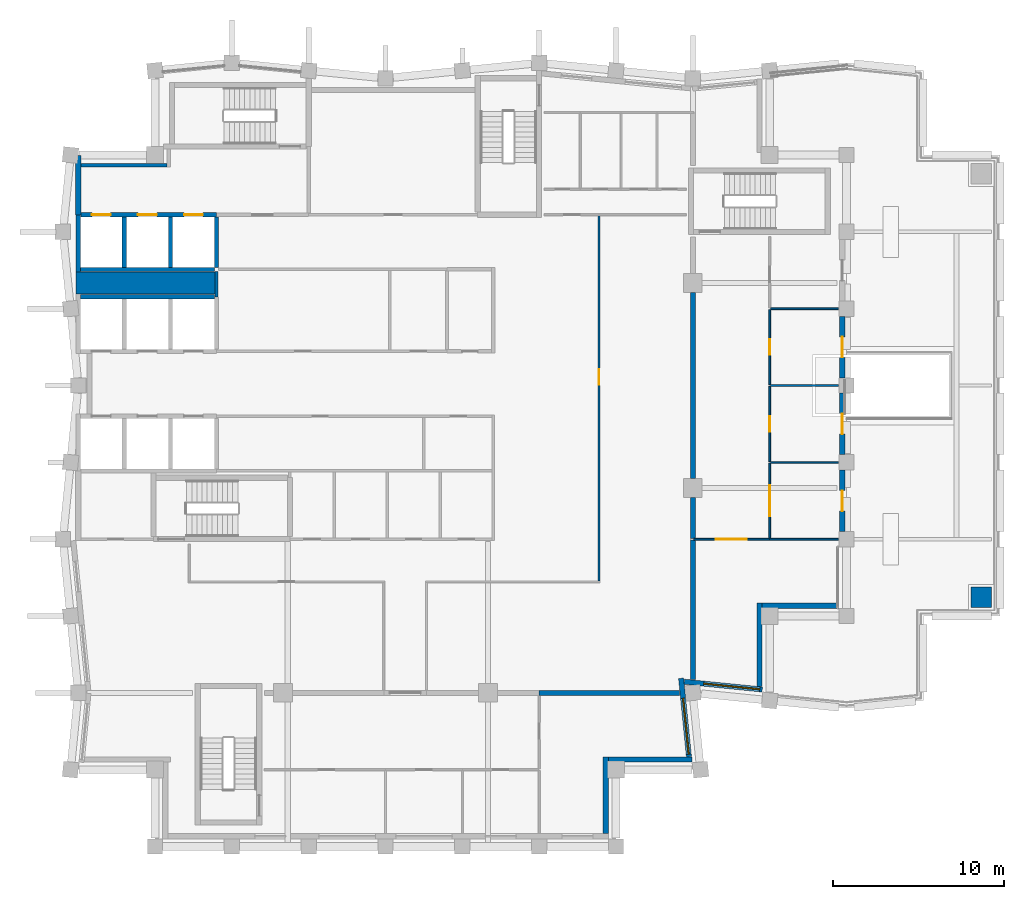
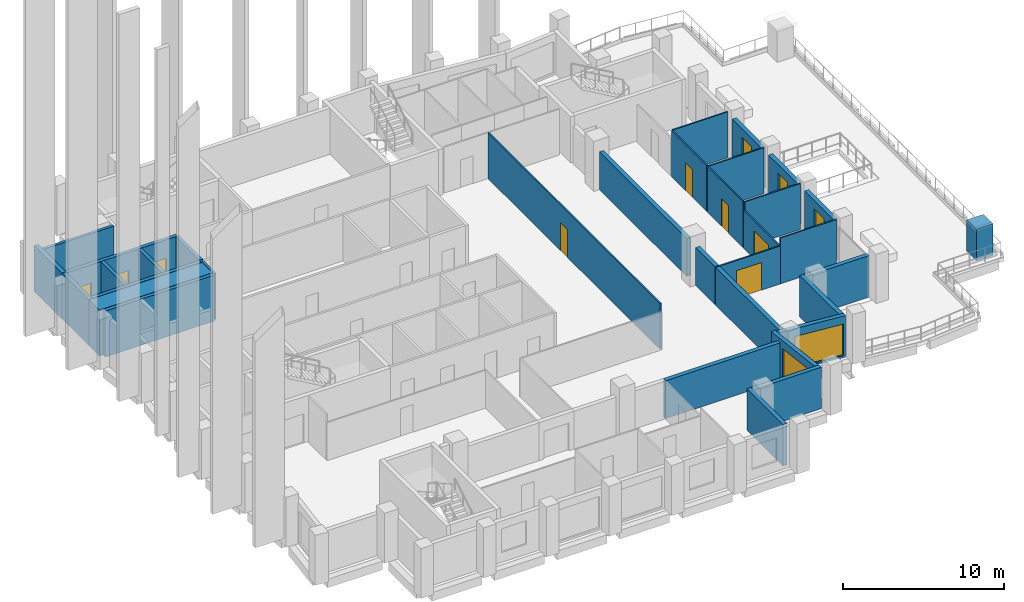
# One storey, part 6 of 11: 34 walls, 11 doors, 2 windows, 13 openings.
"""IFC4 building model written with IfcOpenShell, lengths in metres."""

from ifc_helpers import new_model, si_unit, direction, frame, frame_2d, origin, place, context, subcontext, project, spatial, polyline, rectangle, outline, extrude, material, layer, layer_set, type_object, element, fill, save


model = new_model("IFC4")

# Units and contexts
model_context = context("Model", 3, precision=1e-05, world=origin(), true_north=direction((0.0, 1.0)))
body_context = subcontext(model_context, "Body", "Model", "MODEL_VIEW")
ifc_project = project(units=[si_unit("LENGTHUNIT", "METRE"), si_unit("AREAUNIT", "SQUARE_METRE"), si_unit("VOLUMEUNIT", "CUBIC_METRE"), si_unit("PLANEANGLEUNIT", "RADIAN"), si_unit("MASSUNIT", "GRAM", prefix="KILO")], contexts=[model_context])

# Site, building, storey
site_placement = place(None, origin())
site = spatial("IfcSite", under=ifc_project, at=site_placement, CompositionType="ELEMENT")
building_placement = place(site_placement, origin())
building = spatial("IfcBuilding", under=site, at=building_placement, Name="Brondeck Convention Tower", CompositionType="ELEMENT")
storey_placement = place(building_placement, frame((0.0, 0.0, 252.39990234375)))
storey = spatial("IfcBuildingStorey", under=building, at=storey_placement, Name="L62", CompositionType="ELEMENT", Elevation=252.39990234375)

# Walls
ifc_material_1 = material(Name="Concrete compartment wall C30/37", Category="concrete")
ifc_layer_1 = layer(ifc_material_1, 0.300048828125)
ifc_layer_set_1 = layer_set([ifc_layer_1], Name="Compartment wall 300")
wall_type_1 = type_object("IfcWallType", Name="Compartment wall 300", PredefinedType="PARTITIONING", material=ifc_layer_set_1)
wall_1_placement = place(storey_placement, frame((27.0, 27.0, 0.0), z_axis=(0.0, 0.0, 1.0), x_axis=(1.0, 0.0, 0.0)))
element("IfcWall", 1, at=wall_1_placement, inside=storey, type_object=wall_type_1, Name="FLR-L62-W018", PredefinedType="PARTITIONING", context=body_context, shape_type="SweptSolid", body=[
    extrude(rectangle(XDim=8.226318359375, YDim=0.300048828125, at=frame_2d((4.11328125, 0.0))), origin(), (0.0, 0.0, 1.0), 2.880126953125),
])
wall_2_placement = place(storey_placement, frame((36.0, 27.773681640625, 0.0), z_axis=(0.0, 0.0, 1.0), x_axis=(0.0, 1.0, 0.0)))
element("IfcWall", 2, at=wall_2_placement, inside=storey, type_object=wall_type_1, Name="FLR-L62-W021", PredefinedType="PARTITIONING", context=body_context, shape_type="SweptSolid", body=[
    extrude(rectangle(XDim=8.17626953125, YDim=0.300048828125, at=frame_2d((4.088134765625, 0.0))), origin(), (0.0, 0.0, 1.0), 2.880126953125),
])
wall_3_placement = place(storey_placement, frame((36.0, 36.050048828125, 0.0), z_axis=(0.0, 0.0, 1.0), x_axis=(0.0, 1.0, 0.0)))
element("IfcWall", 3, at=wall_3_placement, inside=storey, type_object=wall_type_1, Name="FLR-L62-W029", PredefinedType="PARTITIONING", context=body_context, shape_type="SweptSolid", body=[
    extrude(rectangle(XDim=2.39501953125, YDim=0.300048828125, at=frame_2d((1.197509765625, 0.0))), origin(), (0.0, 0.0, 1.0), 2.880126953125),
])
wall_4_placement = place(storey_placement, frame((36.0, 39.554931640625, 0.0), z_axis=(0.0, 0.0, 1.0), x_axis=(0.0, 1.0, 0.0)))
element("IfcWall", 4, at=wall_4_placement, inside=storey, type_object=wall_type_1, Name="FLR-L62-W030", PredefinedType="PARTITIONING", context=body_context, shape_type="SweptSolid", body=[
    extrude(rectangle(XDim=10.89013671875, YDim=0.300048828125, at=frame_2d((5.445068359375, 0.0))), origin(), (0.0, 0.0, 1.0), 2.880126953125),
])
ifc_material_2 = material(Name="Concrete C50/60", Category="concrete")
ifc_layer_2 = layer(ifc_material_2, 0.300048828125)
ifc_layer_set_2 = layer_set([ifc_layer_2], Name="Core outer wall 300 Concrete C50/60")
wall_type_2 = type_object("IfcWallType", Name="Core outer wall 300 Concrete C50/60", PredefinedType="SHEAR", material=ifc_layer_set_2)
wall_5_placement = place(storey_placement, frame((0.0, 55.0, 0.0), z_axis=(0.0, 0.0, 1.0), x_axis=(0.0, 1.0, 0.0)))
element("IfcWall", 5, at=wall_5_placement, inside=storey, type_object=wall_type_2, Name="L62 core wall", PredefinedType="SHEAR", context=body_context, shape_type="SweptSolid", body=[
    extrude(rectangle(XDim=3.4775390625, YDim=0.300048828125, at=frame_2d((1.73876953125, 0.0))), origin(), (0.0, 0.0, 1.0), 3.5),
])
ifc_material_3 = material(Name="Fire-rated gypsum board partition")
ifc_layer_3 = layer(ifc_material_3, 0.14990234375)
ifc_layer_set_3 = layer_set([ifc_layer_3], Name="Core partition 150 EI 60")
wall_type_3 = type_object("IfcWallType", Name="Core partition 150 EI 60", PredefinedType="PARTITIONING", material=ifc_layer_set_3)
wall_6_placement = place(storey_placement, frame((8.10009765625, 50.199951171875, 0.0), z_axis=(0.0, 0.0, 1.0), x_axis=(0.0, 1.0, 0.0)))
element("IfcWall", 6, at=wall_6_placement, inside=storey, type_object=wall_type_3, Name="L62 core wall", PredefinedType="PARTITIONING", context=body_context, shape_type="SweptSolid", body=[
    extrude(rectangle(XDim=1.47509765625, YDim=0.14990234375, at=frame_2d((0.737548828125, 0.0))), origin(), (0.0, 0.0, 1.0), 3.5),
])
ifc_layer_4 = layer(ifc_material_2, 1.300048828125)
ifc_layer_set_4 = layer_set([ifc_layer_4], Name="Core shear wall 1300 Concrete C50/60")
wall_type_4 = type_object("IfcWallType", Name="Core shear wall 1300 Concrete C50/60", PredefinedType="SHEAR", material=ifc_layer_set_4)
wall_7_placement = place(storey_placement, frame((-0.125, 51.0, 0.0), z_axis=(0.0, 0.0, 1.0), x_axis=(1.0, 0.0, 0.0)))
element("IfcWall", 7, at=wall_7_placement, inside=storey, type_object=wall_type_4, Name="L62 core wall", PredefinedType="SHEAR", context=body_context, shape_type="SweptSolid", body=[
    extrude(rectangle(XDim=8.125, YDim=1.300048828125, at=frame_2d((4.0625, 0.0))), origin(), (0.0, 0.0, 1.0), 3.5),
])
ifc_material_4 = material(Name="Precast concrete C50/60 bronze finish", Category="concrete")
ifc_layer_5 = layer(ifc_material_4, 0.070068359375, Name="Bronze precast facing")
ifc_material_5 = material(Name="Mineral wool")
ifc_layer_6 = layer(ifc_material_5, 0.159912109375, Name="Insulation")
ifc_material_6 = material(Name="Concrete C35/45", Category="concrete")
ifc_layer_7 = layer(ifc_material_6, 0.070068359375, Name="Backing")
ifc_layer_set_5 = layer_set([ifc_layer_5, ifc_layer_6, ifc_layer_7], Name="External infill wall, precast concrete C50/60 bronze facing")
wall_type_5 = type_object("IfcWallType", Name="External infill wall, precast concrete C50/60 bronze facing", PredefinedType="SOLIDWALL", material=ifc_layer_set_5)
wall_8_placement = place(storey_placement, frame((30.89990234375, 23.25, 0.0), z_axis=(0.0, 0.0, 1.0), x_axis=(0.0, -1.0, 0.0)))
element("IfcWall", 8, at=wall_8_placement, inside=storey, type_object=wall_type_5, Name="ENV-EW-L62-P3-NC-SEB18-01", PredefinedType="SOLIDWALL", context=body_context, shape_type="SweptSolid", body=[
    extrude(rectangle(XDim=4.5, YDim=0.300048828125, at=frame_2d((2.25, 0.0))), origin(), (0.0, 0.0, 1.0), 3.150146484375),
])
wall_9_placement = place(storey_placement, frame((35.952880859375, 23.10009765625, 0.0), z_axis=(0.0, 0.0, 1.0), x_axis=(-1.0, 0.0, 0.0)))
element("IfcWall", 9, at=wall_9_placement, inside=storey, type_object=wall_type_5, Name="ENV-EW-L62-P3-NC-SEB18-02", PredefinedType="SOLIDWALL", context=body_context, shape_type="SweptSolid", body=[
    extrude(rectangle(XDim=4.90283203125, YDim=0.300048828125, at=frame_2d((2.451416015625, 0.0))), origin(), (0.0, 0.0, 1.0), 3.150146484375),
])

# Wall, opening, window
wall_10_placement = place(storey_placement, frame((35.311767578125, 27.852294921875, 0.0), z_axis=(0.0, 0.0, 1.0), x_axis=(0.099503719021, -0.99503719021, 0.0)))
wall_10 = element("IfcWall", 10, at=wall_10_placement, inside=storey, type_object=wall_type_5, Name="ENV-EW-L62-P3-B-E-00", PredefinedType="SOLIDWALL", context=body_context, shape_type="SweptSolid", body=[
    extrude(rectangle(XDim=4.6201171875, YDim=0.300048828125, at=frame_2d((2.31005859375, 0.0))), origin(), (0.0, 0.0, 1.0), 3.150146484375),
])
opening_1_placement = place(wall_10_placement, frame((1.170166015625, 0.0, 0.14990234375)))
opening_1 = element("IfcOpeningElement", 11, at=opening_1_placement, cuts=wall_10, Name="Opening W9", PredefinedType="OPENING", context=body_context, shape_type="SweptSolid", body=[
    extrude(rectangle(XDim=3.300048828125, YDim=2.39990234375, at=frame_2d((1.64990234375, 1.199951171875))), frame((0.0, 0.159912109375, 0.0), z_axis=(0.0, -1.0, 0.0), x_axis=(1.0, 0.0, 0.0)), (0.0, 0.0, 1.0), 0.320068359375),
])
ifc_material_7 = material(Name="Bronze tinted double glazing", Category="glass")
window_type = type_object("IfcWindowType", Name="Glazed flute window, bronze tinted", PartitioningType="SINGLE_PANEL", PredefinedType="WINDOW", material=ifc_material_7)
window_1_placement = place(opening_1_placement, origin())
window_1 = element("IfcWindow", 12, at=window_1_placement, inside=storey, type_object=window_type, Name="ENV-WN-L62-P3-B-E-00", OverallHeight=2.39990234375, OverallWidth=3.300048828125, PartitioningType="SINGLE_PANEL", PredefinedType="WINDOW", context=body_context, shape_type="SweptSolid", body=[
    extrude(rectangle(XDim=3.300048828125, YDim=2.39990234375, at=frame_2d((1.64990234375, 1.199951171875))), frame((0.0, 0.030029296875, 0.0), z_axis=(0.0, -1.0, 0.0), x_axis=(1.0, 0.0, 0.0)), (0.0, 0.0, 1.0), 0.06005859375),
])
fill(opening_1, window_1)

wall_11_placement = place(storey_placement, frame((40.06494140625, 27.196533203125, 0.0), z_axis=(0.0, 0.0, 1.0), x_axis=(-0.995036663613, 0.099508984853, 0.0)))
wall_11 = element("IfcWall", 13, at=wall_11_placement, inside=storey, type_object=wall_type_5, Name="ENV-EW-L62-P3-A-S-00", PredefinedType="SOLIDWALL", context=body_context, shape_type="SweptSolid", body=[
    extrude(rectangle(XDim=4.59033203125, YDim=0.300048828125, at=frame_2d((2.295166015625, 0.0))), origin(), (0.0, 0.0, 1.0), 3.150146484375),
])
opening_2_placement = place(wall_11_placement, frame((0.14990234375, 0.0, 0.14990234375)))
opening_2 = element("IfcOpeningElement", 14, at=opening_2_placement, cuts=wall_11, Name="Opening W9", PredefinedType="OPENING", context=body_context, shape_type="SweptSolid", body=[
    extrude(rectangle(XDim=3.300048828125, YDim=2.39990234375, at=frame_2d((1.64990234375, 1.199951171875))), frame((0.0, 0.159912109375, 0.0), z_axis=(0.0, -1.0, 0.0), x_axis=(1.0, 0.0, 0.0)), (0.0, 0.0, 1.0), 0.320068359375),
])
window_2_placement = place(opening_2_placement, origin())
window_2 = element("IfcWindow", 15, at=window_2_placement, inside=storey, type_object=window_type, Name="ENV-WN-L62-P3-A-S-00", OverallHeight=2.39990234375, OverallWidth=3.300048828125, PartitioningType="SINGLE_PANEL", PredefinedType="WINDOW", context=body_context, shape_type="SweptSolid", body=[
    extrude(rectangle(XDim=3.300048828125, YDim=2.39990234375, at=frame_2d((1.64990234375, 1.199951171875))), frame((0.0, 0.030029296875, 0.0), z_axis=(0.0, -1.0, 0.0), x_axis=(1.0, 0.0, 0.0)), (0.0, 0.0, 1.0), 0.06005859375),
])
fill(opening_2, window_2)

# Walls
wall_12_placement = place(storey_placement, frame((39.89990234375, 32.25, 0.0), z_axis=(0.0, 0.0, 1.0), x_axis=(0.0, -1.0, 0.0)))
element("IfcWall", 16, at=wall_12_placement, inside=storey, type_object=wall_type_5, Name="ENV-EW-L62-P3-NC-SEA45-01", PredefinedType="SOLIDWALL", context=body_context, shape_type="SweptSolid", body=[
    extrude(rectangle(XDim=4.881103515625, YDim=0.300048828125, at=frame_2d((2.4404296875, 0.0))), origin(), (0.0, 0.0, 1.0), 3.150146484375),
])
wall_13_placement = place(storey_placement, frame((44.550048828125, 32.10009765625, 0.0), z_axis=(0.0, 0.0, 1.0), x_axis=(-1.0, 0.0, 0.0)))
element("IfcWall", 17, at=wall_13_placement, inside=storey, type_object=wall_type_5, Name="ENV-EW-L62-P3-NC-SEA45-02", PredefinedType="SOLIDWALL", context=body_context, shape_type="SweptSolid", body=[
    extrude(rectangle(XDim=4.501953125, YDim=0.300048828125, at=frame_2d((2.2509765625, 0.0))), origin(), (0.0, 0.0, 1.0), 3.150146484375),
])

# Wall, opening, door
wall_14_placement = place(storey_placement, frame((44.75, 40.050048828125, 0.0), z_axis=(0.0, 0.0, 1.0), x_axis=(0.0, -1.0, 0.0)))
wall_14 = element("IfcWall", 18, at=wall_14_placement, inside=storey, type_object=wall_type_5, Name="ENV-TW-L62-P3-A-E45-02", PredefinedType="SOLIDWALL", context=body_context, shape_type="SweptSolid", body=[
    extrude(rectangle(XDim=3.60009765625, YDim=0.300048828125, at=frame_2d((1.800048828125, 0.0))), origin(), (0.0, 0.0, 1.0), 3.150146484375),
])
opening_3_placement = place(wall_14_placement, frame((1.199951171875, 0.0, 0.0)))
opening_3 = element("IfcOpeningElement", 19, at=opening_3_placement, cuts=wall_14, Name="Opening DB-L62-A-E45-02", PredefinedType="OPENING", context=body_context, shape_type="SweptSolid", body=[
    extrude(rectangle(XDim=1.199951171875, YDim=2.5, at=frame_2d((0.60009765625, 1.25))), frame((0.0, 0.159912109375, 0.0), z_axis=(0.0, -1.0, 0.0), x_axis=(1.0, 0.0, 0.0)), (0.0, 0.0, 1.0), 0.320068359375),
])
ifc_material_8 = material(Name="Aluminium, bronze anodised", Category="aluminium")
door_type_1 = type_object("IfcDoorType", Name="Terrace door, single leaf", OperationType="SINGLE_SWING_LEFT", PredefinedType="DOOR", material=ifc_material_8)
door_1_placement = place(opening_3_placement, origin())
door_1 = element("IfcDoor", 20, at=door_1_placement, inside=storey, type_object=door_type_1, Name="ENV-D-DB-L62-A-E45-02", OperationType="SINGLE_SWING_RIGHT", OverallHeight=2.5, OverallWidth=1.199951171875, PredefinedType="DOOR", context=body_context, shape_type="SweptSolid", body=[
    extrude(rectangle(XDim=1.199951171875, YDim=2.5, at=frame_2d((0.60009765625, 1.25))), frame((0.0, 0.02490234375, 0.0), z_axis=(0.0, -1.0, 0.0), x_axis=(1.0, 0.0, 0.0)), (0.0, 0.0, 1.0), 0.050048828125),
])
fill(opening_3, door_1)

wall_15_placement = place(storey_placement, frame((44.75, 44.550048828125, 0.0), z_axis=(0.0, 0.0, 1.0), x_axis=(0.0, -1.0, 0.0)))
wall_15 = element("IfcWall", 21, at=wall_15_placement, inside=storey, type_object=wall_type_5, Name="ENV-TW-L62-P3-A-E45-03", PredefinedType="SOLIDWALL", context=body_context, shape_type="SweptSolid", body=[
    extrude(rectangle(XDim=3.60009765625, YDim=0.300048828125, at=frame_2d((1.800048828125, 0.0))), origin(), (0.0, 0.0, 1.0), 3.150146484375),
])
opening_4_placement = place(wall_15_placement, frame((1.199951171875, 0.0, 0.0)))
opening_4 = element("IfcOpeningElement", 22, at=opening_4_placement, cuts=wall_15, Name="Opening DB-L62-A-E45-03", PredefinedType="OPENING", context=body_context, shape_type="SweptSolid", body=[
    extrude(rectangle(XDim=1.199951171875, YDim=2.5, at=frame_2d((0.60009765625, 1.25))), frame((0.0, 0.159912109375, 0.0), z_axis=(0.0, -1.0, 0.0), x_axis=(1.0, 0.0, 0.0)), (0.0, 0.0, 1.0), 0.320068359375),
])
door_2_placement = place(opening_4_placement, origin())
door_2 = element("IfcDoor", 23, at=door_2_placement, inside=storey, type_object=door_type_1, Name="ENV-D-DB-L62-A-E45-03", OperationType="SINGLE_SWING_LEFT", OverallHeight=2.5, OverallWidth=1.199951171875, PredefinedType="DOOR", context=body_context, shape_type="SweptSolid", body=[
    extrude(rectangle(XDim=1.199951171875, YDim=2.5, at=frame_2d((0.60009765625, 1.25))), frame((0.0, 0.02490234375, 0.0), z_axis=(0.0, -1.0, 0.0), x_axis=(1.0, 0.0, 0.0)), (0.0, 0.0, 1.0), 0.050048828125),
])
fill(opening_4, door_2)

wall_16_placement = place(storey_placement, frame((44.75, 49.050048828125, 0.0), z_axis=(0.0, 0.0, 1.0), x_axis=(0.0, -1.0, 0.0)))
wall_16 = element("IfcWall", 24, at=wall_16_placement, inside=storey, type_object=wall_type_5, Name="ENV-TW-L62-P3-A-E45-04", PredefinedType="SOLIDWALL", context=body_context, shape_type="SweptSolid", body=[
    extrude(rectangle(XDim=3.60009765625, YDim=0.300048828125, at=frame_2d((1.800048828125, 0.0))), origin(), (0.0, 0.0, 1.0), 3.150146484375),
])
opening_5_placement = place(wall_16_placement, frame((1.199951171875, 0.0, 0.0)))
opening_5 = element("IfcOpeningElement", 25, at=opening_5_placement, cuts=wall_16, Name="Opening DB-L62-A-E45-04", PredefinedType="OPENING", context=body_context, shape_type="SweptSolid", body=[
    extrude(rectangle(XDim=1.199951171875, YDim=2.5, at=frame_2d((0.60009765625, 1.25))), frame((0.0, 0.159912109375, 0.0), z_axis=(0.0, -1.0, 0.0), x_axis=(1.0, 0.0, 0.0)), (0.0, 0.0, 1.0), 0.320068359375),
])
door_3_placement = place(opening_5_placement, origin())
door_3 = element("IfcDoor", 26, at=door_3_placement, inside=storey, type_object=door_type_1, Name="ENV-D-DB-L62-A-E45-04", OperationType="SINGLE_SWING_LEFT", OverallHeight=2.5, OverallWidth=1.199951171875, PredefinedType="DOOR", context=body_context, shape_type="SweptSolid", body=[
    extrude(rectangle(XDim=1.199951171875, YDim=2.5, at=frame_2d((0.60009765625, 1.25))), frame((0.0, 0.02490234375, 0.0), z_axis=(0.0, -1.0, 0.0), x_axis=(1.0, 0.0, 0.0)), (0.0, 0.0, 1.0), 0.050048828125),
])
fill(opening_5, door_3)

# Walls
ifc_layer_8 = layer(ifc_material_3, 0.199951171875)
ifc_layer_set_6 = layer_set([ifc_layer_8], Name="Firefighting lobby wall 200 EI 120")
wall_type_6 = type_object("IfcWallType", Name="Firefighting lobby wall 200 EI 120", PredefinedType="PARTITIONING", material=ifc_layer_set_6)
wall_17_placement = place(storey_placement, frame((0.14990234375, 57.89990234375, 0.0), z_axis=(0.0, 0.0, 1.0), x_axis=(1.0, 0.0, 0.0)))
element("IfcWall", 27, at=wall_17_placement, inside=storey, type_object=wall_type_6, Name="L62 core wall", PredefinedType="PARTITIONING", context=body_context, shape_type="SweptSolid", body=[
    extrude(rectangle(XDim=5.050048828125, YDim=0.199951171875, at=frame_2d((2.52490234375, 0.0))), origin(), (0.0, 0.0, 1.0), 3.5),
])
ifc_layer_9 = layer(ifc_material_2, 0.25)
ifc_layer_set_7 = layer_set([ifc_layer_9], Name="Lift shaft wall 250 Concrete C50/60")
wall_type_7 = type_object("IfcWallType", Name="Lift shaft wall 250 Concrete C50/60", PredefinedType="SHEAR", material=ifc_layer_set_7)
for number, where, z_axis, x_axis, name in (
    (28, (0.125, 50.199951171875, 0.0), (0.0, 0.0, 1.0), (1.0, 0.0, 0.0), "L62 core wall"),
    (29, (0.125, 51.800048828125, 0.0), (0.0, 0.0, 1.0), (1.0, 0.0, 0.0), "L62 core wall"),
):
    element("IfcWall", number, at=place(storey_placement, frame(where, z_axis=z_axis, x_axis=x_axis)), inside=storey, type_object=wall_type_7, Name=name, PredefinedType="SHEAR", context=body_context, shape_type="SweptSolid", body=[
        extrude(rectangle(XDim=7.85009765625, YDim=0.25, at=frame_2d((3.925048828125, 0.0))), origin(), (0.0, 0.0, 1.0), 3.5),
    ])

# Wall, openings, doors
wall_18_placement = place(storey_placement, frame((0.14990234375, 55.0, 0.0), z_axis=(0.0, 0.0, 1.0), x_axis=(1.0, 0.0, 0.0)))
wall_18 = element("IfcWall", 30, at=wall_18_placement, inside=storey, type_object=wall_type_7, Name="L62 core wall", PredefinedType="SHEAR", context=body_context, shape_type="SweptSolid", body=[
    extrude(rectangle(XDim=7.9501953125, YDim=0.25, at=frame_2d((3.97509765625, 0.0))), origin(), (0.0, 0.0, 1.0), 3.5),
])
opening_6_placement = place(wall_18_placement, frame((0.64990234375, 0.0, 0.0)))
opening_6 = element("IfcOpeningElement", 31, at=opening_6_placement, cuts=wall_18, Name="Opening C34-18", PredefinedType="OPENING", context=body_context, shape_type="SweptSolid", body=[
    extrude(rectangle(XDim=1.10009765625, YDim=2.10009765625, at=frame_2d((0.550048828125, 1.050048828125))), frame((0.0, 0.135009765625, 0.0), z_axis=(0.0, -1.0, 0.0), x_axis=(1.0, 0.0, 0.0)), (0.0, 0.0, 1.0), 0.27001953125),
])
opening_7_placement = place(wall_18_placement, frame((3.35009765625, 0.0, 0.0)))
opening_7 = element("IfcOpeningElement", 32, at=opening_7_placement, cuts=wall_18, Name="Opening C34-19", PredefinedType="OPENING", context=body_context, shape_type="SweptSolid", body=[
    extrude(rectangle(XDim=1.10009765625, YDim=2.10009765625, at=frame_2d((0.550048828125, 1.050048828125))), frame((0.0, 0.135009765625, 0.0), z_axis=(0.0, -1.0, 0.0), x_axis=(1.0, 0.0, 0.0)), (0.0, 0.0, 1.0), 0.27001953125),
])
opening_8_placement = place(wall_18_placement, frame((6.050048828125, 0.0, 0.0)))
opening_8 = element("IfcOpeningElement", 33, at=opening_8_placement, cuts=wall_18, Name="Opening C34-20", PredefinedType="OPENING", context=body_context, shape_type="SweptSolid", body=[
    extrude(rectangle(XDim=1.10009765625, YDim=2.10009765625, at=frame_2d((0.550048828125, 1.050048828125))), frame((0.0, 0.135009765625, 0.0), z_axis=(0.0, -1.0, 0.0), x_axis=(1.0, 0.0, 0.0)), (0.0, 0.0, 1.0), 0.27001953125),
])
ifc_material_9 = material(Name="Stainless steel lift door", Category="steel")
door_type_2 = type_object("IfcDoorType", Name="Lift landing door 1100x2100 EI 180", OperationType="DOUBLE_DOOR_SLIDING", PredefinedType="DOOR", material=ifc_material_9)
door_4_placement = place(opening_6_placement, origin())
door_4 = element("IfcDoor", 34, at=door_4_placement, inside=storey, type_object=door_type_2, Name="L62 Lift landing door FF1", OperationType="DOUBLE_DOOR_SLIDING", OverallHeight=2.10009765625, OverallWidth=1.10009765625, PredefinedType="DOOR", context=body_context, shape_type="SweptSolid", body=[
    extrude(rectangle(XDim=1.10009765625, YDim=2.10009765625, at=frame_2d((0.550048828125, 1.050048828125))), frame((0.0, 0.02490234375, 0.0), z_axis=(0.0, -1.0, 0.0), x_axis=(1.0, 0.0, 0.0)), (0.0, 0.0, 1.0), 0.050048828125),
])
fill(opening_6, door_4)
door_5_placement = place(opening_7_placement, origin())
door_5 = element("IfcDoor", 35, at=door_5_placement, inside=storey, type_object=door_type_2, Name="L62 Lift landing door FF2", OperationType="DOUBLE_DOOR_SLIDING", OverallHeight=2.10009765625, OverallWidth=1.10009765625, PredefinedType="DOOR", context=body_context, shape_type="SweptSolid", body=[
    extrude(rectangle(XDim=1.10009765625, YDim=2.10009765625, at=frame_2d((0.550048828125, 1.050048828125))), frame((0.0, 0.02490234375, 0.0), z_axis=(0.0, -1.0, 0.0), x_axis=(1.0, 0.0, 0.0)), (0.0, 0.0, 1.0), 0.050048828125),
])
fill(opening_7, door_5)
door_6_placement = place(opening_8_placement, origin())
door_6 = element("IfcDoor", 36, at=door_6_placement, inside=storey, type_object=door_type_2, Name="L62 Lift landing door FF3", OperationType="DOUBLE_DOOR_SLIDING", OverallHeight=2.10009765625, OverallWidth=1.10009765625, PredefinedType="DOOR", context=body_context, shape_type="SweptSolid", body=[
    extrude(rectangle(XDim=1.10009765625, YDim=2.10009765625, at=frame_2d((0.550048828125, 1.050048828125))), frame((0.0, 0.02490234375, 0.0), z_axis=(0.0, -1.0, 0.0), x_axis=(1.0, 0.0, 0.0)), (0.0, 0.0, 1.0), 0.050048828125),
])
fill(opening_8, door_6)

# Walls
wall_19_placement = place(storey_placement, frame((0.0, 51.64990234375, 0.0), z_axis=(0.0, 0.0, 1.0), x_axis=(0.0, 1.0, 0.0)))
element("IfcWall", 37, at=wall_19_placement, inside=storey, type_object=wall_type_7, Name="L62 core wall", PredefinedType="SHEAR", context=body_context, shape_type="SweptSolid", body=[
    extrude(rectangle(XDim=3.35009765625, YDim=0.25, at=frame_2d((1.675048828125, 0.0))), origin(), (0.0, 0.0, 1.0), 3.5),
])
for number, where, z_axis, x_axis, name in (
    (38, (2.699951171875, 51.925048828125, 0.0), (0.0, 0.0, 1.0), (0.0, 1.0, 0.0), "L62 core wall"),
    (39, (5.39990234375, 51.925048828125, 0.0), (0.0, 0.0, 1.0), (0.0, 1.0, 0.0), "L62 core wall"),
    (40, (8.10009765625, 51.925048828125, 0.0), (0.0, 0.0, 1.0), (0.0, 1.0, 0.0), "L62 core wall"),
):
    element("IfcWall", number, at=place(storey_placement, frame(where, z_axis=z_axis, x_axis=x_axis)), inside=storey, type_object=wall_type_7, Name=name, PredefinedType="SHEAR", context=body_context, shape_type="SweptSolid", body=[
        extrude(rectangle(XDim=2.949951171875, YDim=0.25, at=frame_2d((1.47509765625, 0.0))), origin(), (0.0, 0.0, 1.0), 3.5),
    ])

# Wall, opening, door
ifc_material_10 = material(Name="Gypsum board partition on steel studs", Category="steel")
ifc_layer_10 = layer(ifc_material_10, 0.10009765625)
ifc_layer_set_8 = layer_set([ifc_layer_10], Name="Room partition 100")
wall_type_8 = type_object("IfcWallType", Name="Room partition 100", PredefinedType="PARTITIONING", material=ifc_layer_set_8)
wall_20_placement = place(storey_placement, frame((40.5, 36.0, 0.0), z_axis=(0.0, 0.0, 1.0), x_axis=(-1.0, 0.0, 0.0)))
wall_20 = element("IfcWall", 41, at=wall_20_placement, inside=storey, type_object=wall_type_8, Name="FLR-L62-W027", PredefinedType="PARTITIONING", context=body_context, shape_type="SweptSolid", body=[
    extrude(rectangle(XDim=4.449951171875, YDim=0.10009765625, at=frame_2d((2.22509765625, 0.0))), origin(), (0.0, 0.0, 1.0), 2.880126953125),
])
opening_9_placement = place(wall_20_placement, frame((1.35009765625, 0.0, 0.0)))
opening_9 = element("IfcOpeningElement", 42, at=opening_9_placement, cuts=wall_20, Name="Opening EX-A-005", PredefinedType="OPENING", context=body_context, shape_type="SweptSolid", body=[
    extrude(rectangle(XDim=1.800048828125, YDim=2.10009765625, at=frame_2d((0.89990234375, 1.050048828125))), frame((0.0, 0.06005859375, 0.0), z_axis=(0.0, -1.0, 0.0), x_axis=(1.0, 0.0, 0.0)), (0.0, 0.0, 1.0), 0.1201171875),
])
ifc_material_11 = material(Name="Glazed timber double door", Category="wood")
door_type_3 = type_object("IfcDoorType", Name="Double door 1800", OperationType="DOUBLE_DOOR_SINGLE_SWING", PredefinedType="DOOR", material=ifc_material_11)
door_7_placement = place(opening_9_placement, origin())
door_7 = element("IfcDoor", 43, at=door_7_placement, inside=storey, type_object=door_type_3, Name="Door EX-A-005", OperationType="DOUBLE_DOOR_SINGLE_SWING", OverallHeight=2.10009765625, OverallWidth=1.800048828125, PredefinedType="DOOR", context=body_context, shape_type="SweptSolid", body=[
    extrude(rectangle(XDim=1.800048828125, YDim=2.10009765625, at=frame_2d((0.89990234375, 1.050048828125))), frame((0.0, 0.02490234375, 0.0), z_axis=(0.0, -1.0, 0.0), x_axis=(1.0, 0.0, 0.0)), (0.0, 0.0, 1.0), 0.050048828125),
])
fill(opening_9, door_7)

# Wall
wall_21_placement = place(storey_placement, frame((44.530029296875, 36.0, 0.0), z_axis=(0.0, 0.0, 1.0), x_axis=(-1.0, 0.0, 0.0)))
element("IfcWall", 44, at=wall_21_placement, inside=storey, type_object=wall_type_8, Name="FLR-L62-W028", PredefinedType="PARTITIONING", context=body_context, shape_type="SweptSolid", body=[
    extrude(rectangle(XDim=4.030029296875, YDim=0.10009765625, at=frame_2d((2.01513671875, 0.0))), origin(), (0.0, 0.0, 1.0), 3.47998046875),
])

# Wall, opening, door
wall_22_placement = place(storey_placement, frame((40.5, 40.449951171875, 0.0), z_axis=(0.0, 0.0, 1.0), x_axis=(0.0, -1.0, 0.0)))
wall_22 = element("IfcWall", 45, at=wall_22_placement, inside=storey, type_object=wall_type_8, Name="FLR-L62-W031", PredefinedType="PARTITIONING", context=body_context, shape_type="SweptSolid", body=[
    extrude(rectangle(XDim=4.39990234375, YDim=0.10009765625, at=frame_2d((2.199951171875, 0.0))), origin(), (0.0, 0.0, 1.0), 2.880126953125),
])
opening_10_placement = place(wall_22_placement, frame((1.300048828125, 0.0, 0.0)))
opening_10 = element("IfcOpeningElement", 46, at=opening_10_placement, cuts=wall_22, Name="Opening EX-A-001", PredefinedType="OPENING", context=body_context, shape_type="SweptSolid", body=[
    extrude(rectangle(XDim=1.800048828125, YDim=2.10009765625, at=frame_2d((0.89990234375, 1.050048828125))), frame((0.0, 0.06005859375, 0.0), z_axis=(0.0, -1.0, 0.0), x_axis=(1.0, 0.0, 0.0)), (0.0, 0.0, 1.0), 0.1201171875),
])
door_8_placement = place(opening_10_placement, origin())
door_8 = element("IfcDoor", 47, at=door_8_placement, inside=storey, type_object=door_type_3, Name="Door EX-A-001", OperationType="DOUBLE_DOOR_SINGLE_SWING", OverallHeight=2.10009765625, OverallWidth=1.800048828125, PredefinedType="DOOR", context=body_context, shape_type="SweptSolid", body=[
    extrude(rectangle(XDim=1.800048828125, YDim=2.10009765625, at=frame_2d((0.89990234375, 1.050048828125))), frame((0.0, 0.02490234375, 0.0), z_axis=(0.0, -1.0, 0.0), x_axis=(1.0, 0.0, 0.0)), (0.0, 0.0, 1.0), 0.050048828125),
])
fill(opening_10, door_8)

# Wall
wall_23_placement = place(storey_placement, frame((40.550048828125, 40.5, 0.0), z_axis=(0.0, 0.0, 1.0), x_axis=(1.0, 0.0, 0.0)))
element("IfcWall", 48, at=wall_23_placement, inside=storey, type_object=wall_type_8, Name="FLR-L62-W032", PredefinedType="PARTITIONING", context=body_context, shape_type="SweptSolid", body=[
    extrude(rectangle(XDim=3.97998046875, YDim=0.10009765625, at=frame_2d((1.989990234375, 0.0))), origin(), (0.0, 0.0, 1.0), 3.47998046875),
])

# Wall, opening, door
wall_24_placement = place(storey_placement, frame((40.5, 44.949951171875, 0.0), z_axis=(0.0, 0.0, 1.0), x_axis=(0.0, -1.0, 0.0)))
wall_24 = element("IfcWall", 49, at=wall_24_placement, inside=storey, type_object=wall_type_8, Name="FLR-L62-W033", PredefinedType="PARTITIONING", context=body_context, shape_type="SweptSolid", body=[
    extrude(rectangle(XDim=4.39990234375, YDim=0.10009765625, at=frame_2d((2.199951171875, 0.0))), origin(), (0.0, 0.0, 1.0), 3.47998046875),
])
opening_11_placement = place(wall_24_placement, frame((1.75, 0.0, 0.0)))
opening_11 = element("IfcOpeningElement", 50, at=opening_11_placement, cuts=wall_24, Name="Opening EX-A-002", PredefinedType="OPENING", context=body_context, shape_type="SweptSolid", body=[
    extrude(rectangle(XDim=0.89990234375, YDim=2.10009765625, at=frame_2d((0.449951171875, 1.050048828125))), frame((0.0, 0.06005859375, 0.0), z_axis=(0.0, -1.0, 0.0), x_axis=(1.0, 0.0, 0.0)), (0.0, 0.0, 1.0), 0.1201171875),
])
ifc_material_12 = material(Name="Solid timber door leaf", Category="wood")
door_type_4 = type_object("IfcDoorType", Name="Single door 900", OperationType="NOTDEFINED", PredefinedType="DOOR", material=ifc_material_12)
door_9_placement = place(opening_11_placement, origin())
door_9 = element("IfcDoor", 51, at=door_9_placement, inside=storey, type_object=door_type_4, Name="Door EX-A-002", OperationType="SINGLE_SWING_LEFT", OverallHeight=2.10009765625, OverallWidth=0.89990234375, PredefinedType="DOOR", context=body_context, shape_type="SweptSolid", body=[
    extrude(rectangle(XDim=0.89990234375, YDim=2.10009765625, at=frame_2d((0.449951171875, 1.050048828125))), frame((0.0, 0.02490234375, 0.0), z_axis=(0.0, -1.0, 0.0), x_axis=(1.0, 0.0, 0.0)), (0.0, 0.0, 1.0), 0.050048828125),
])
fill(opening_11, door_9)

# Wall
wall_25_placement = place(storey_placement, frame((40.550048828125, 45.0, 0.0), z_axis=(0.0, 0.0, 1.0), x_axis=(1.0, 0.0, 0.0)))
element("IfcWall", 52, at=wall_25_placement, inside=storey, type_object=wall_type_8, Name="FLR-L62-W034", PredefinedType="PARTITIONING", context=body_context, shape_type="SweptSolid", body=[
    extrude(rectangle(XDim=3.97998046875, YDim=0.10009765625, at=frame_2d((1.989990234375, 0.0))), origin(), (0.0, 0.0, 1.0), 3.47998046875),
])

# Wall, opening, door
wall_26_placement = place(storey_placement, frame((40.5, 49.449951171875, 0.0), z_axis=(0.0, 0.0, 1.0), x_axis=(0.0, -1.0, 0.0)))
wall_26 = element("IfcWall", 53, at=wall_26_placement, inside=storey, type_object=wall_type_8, Name="FLR-L62-W035", PredefinedType="PARTITIONING", context=body_context, shape_type="SweptSolid", body=[
    extrude(rectangle(XDim=4.39990234375, YDim=0.10009765625, at=frame_2d((2.199951171875, 0.0))), origin(), (0.0, 0.0, 1.0), 3.47998046875),
])
opening_12_placement = place(wall_26_placement, frame((1.75, 0.0, 0.0)))
opening_12 = element("IfcOpeningElement", 54, at=opening_12_placement, cuts=wall_26, Name="Opening EX-A-003", PredefinedType="OPENING", context=body_context, shape_type="SweptSolid", body=[
    extrude(rectangle(XDim=0.89990234375, YDim=2.10009765625, at=frame_2d((0.449951171875, 1.050048828125))), frame((0.0, 0.06005859375, 0.0), z_axis=(0.0, -1.0, 0.0), x_axis=(1.0, 0.0, 0.0)), (0.0, 0.0, 1.0), 0.1201171875),
])
door_10_placement = place(opening_12_placement, origin())
door_10 = element("IfcDoor", 55, at=door_10_placement, inside=storey, type_object=door_type_4, Name="Door EX-A-003", OperationType="SINGLE_SWING_LEFT", OverallHeight=2.10009765625, OverallWidth=0.89990234375, PredefinedType="DOOR", context=body_context, shape_type="SweptSolid", body=[
    extrude(rectangle(XDim=0.89990234375, YDim=2.10009765625, at=frame_2d((0.449951171875, 1.050048828125))), frame((0.0, 0.02490234375, 0.0), z_axis=(0.0, -1.0, 0.0), x_axis=(1.0, 0.0, 0.0)), (0.0, 0.0, 1.0), 0.050048828125),
])
fill(opening_12, door_10)

# Wall
wall_27_placement = place(storey_placement, frame((40.550048828125, 49.5, 0.0), z_axis=(0.0, 0.0, 1.0), x_axis=(1.0, 0.0, 0.0)))
element("IfcWall", 56, at=wall_27_placement, inside=storey, type_object=wall_type_8, Name="FLR-L62-W036", PredefinedType="PARTITIONING", context=body_context, shape_type="SweptSolid", body=[
    extrude(rectangle(XDim=3.97998046875, YDim=0.10009765625, at=frame_2d((1.989990234375, 0.0))), origin(), (0.0, 0.0, 1.0), 3.47998046875),
])

# Wall, opening, door
wall_28_placement = place(storey_placement, frame((30.5, 54.949951171875, 0.0), z_axis=(0.0, 0.0, 1.0), x_axis=(0.0, -1.0, 0.0)))
wall_28 = element("IfcWall", 57, at=wall_28_placement, inside=storey, type_object=wall_type_8, Name="FLR-L62-W039", PredefinedType="PARTITIONING", context=body_context, shape_type="SweptSolid", body=[
    extrude(rectangle(XDim=21.39990234375, YDim=0.10009765625, at=frame_2d((10.699951171875, 0.0))), origin(), (0.0, 0.0, 1.0), 3.47998046875),
])
opening_13_placement = place(wall_28_placement, frame((9.0, 0.0, 0.0)))
opening_13 = element("IfcOpeningElement", 58, at=opening_13_placement, cuts=wall_28, Name="Opening EX-A-016", PredefinedType="OPENING", context=body_context, shape_type="SweptSolid", body=[
    extrude(rectangle(XDim=0.89990234375, YDim=2.10009765625, at=frame_2d((0.449951171875, 1.050048828125))), frame((0.0, 0.06005859375, 0.0), z_axis=(0.0, -1.0, 0.0), x_axis=(1.0, 0.0, 0.0)), (0.0, 0.0, 1.0), 0.1201171875),
])
door_11_placement = place(opening_13_placement, origin())
door_11 = element("IfcDoor", 59, at=door_11_placement, inside=storey, type_object=door_type_4, Name="Door EX-A-016", OperationType="SINGLE_SWING_LEFT", OverallHeight=2.10009765625, OverallWidth=0.89990234375, PredefinedType="DOOR", context=body_context, shape_type="SweptSolid", body=[
    extrude(rectangle(XDim=0.89990234375, YDim=2.10009765625, at=frame_2d((0.449951171875, 1.050048828125))), frame((0.0, 0.02490234375, 0.0), z_axis=(0.0, -1.0, 0.0), x_axis=(1.0, 0.0, 0.0)), (0.0, 0.0, 1.0), 0.050048828125),
])
fill(opening_13, door_11)

# Wall
ifc_layer_11 = layer(ifc_material_4, 1.199951171875)
ifc_layer_set_9 = layer_set([ifc_layer_11], Name="Terrace finial shaft, precast concrete C50/60")
wall_type_9 = type_object("IfcWallType", Name="Terrace finial shaft, precast concrete C50/60", PredefinedType="SOLIDWALL", material=ifc_layer_set_9)
wall_29_placement = place(storey_placement, origin())
element("IfcWall", 60, at=wall_29_placement, inside=storey, type_object=wall_type_9, Name="ENV-FT-S3-1-1-S", PredefinedType="SOLIDWALL", context=body_context, shape_type="SweptSolid", body=[
    extrude(outline(polyline([(53.5, 32.0), (53.5, 33.199951171875), (52.300048828125, 33.199951171875), (52.300048828125, 32.0), (53.5, 32.0)])), origin(), (0.0, 0.0, 1.0), 2.400146484375),
])

save(model, "model.ifc")
